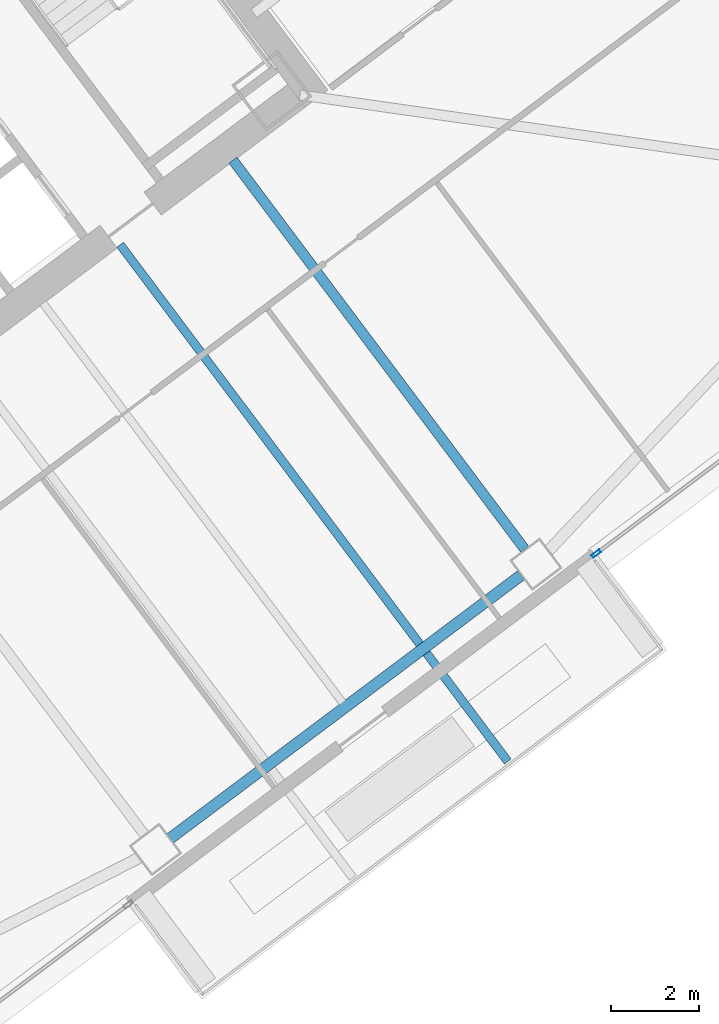
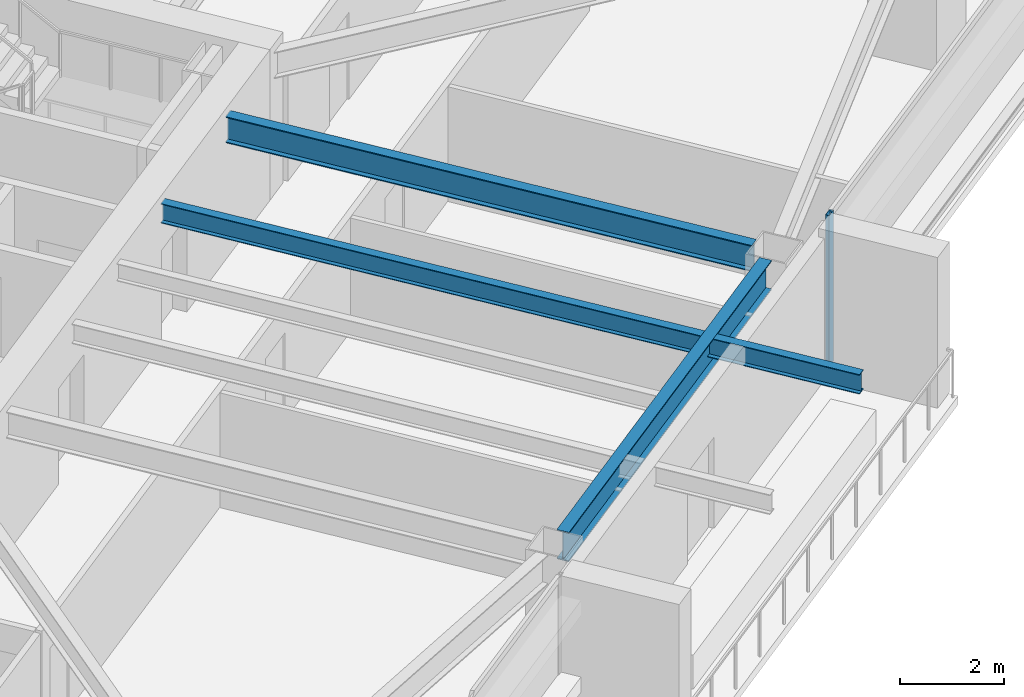
# One storey, part 24 of 46: 3 beams, 1 member, 1 element without a shape of its own.
"""IFC4 building model written with IfcOpenShell, lengths in metres."""

from ifc_helpers import new_model, si_unit, direction, frame, origin, origin_2d, place, context, subcontext, project, spatial, hollow_rectangle, i_section, extrude, material, material_profile, profile_set, type_object, element, aggregate, save


model = new_model("IFC4")

# Units and contexts
model_context = context("Model", 3, precision=1e-05, world=origin(), true_north=direction((0.0, 1.0)))
body_context = subcontext(model_context, "Body", "Model", "MODEL_VIEW")
ifc_project = project(units=[si_unit("LENGTHUNIT", "METRE"), si_unit("AREAUNIT", "SQUARE_METRE"), si_unit("VOLUMEUNIT", "CUBIC_METRE"), si_unit("PLANEANGLEUNIT", "RADIAN"), si_unit("MASSUNIT", "GRAM", prefix="KILO")], contexts=[model_context])

# Site, building, storey
site_placement = place(None, origin())
site = spatial("IfcSite", under=ifc_project, at=site_placement, CompositionType="ELEMENT")
building_placement = place(site_placement, origin())
building = spatial("IfcBuilding", under=site, at=building_placement, Name="Tashvorn Skyway Center", CompositionType="ELEMENT")
storey_placement = place(building_placement, frame((0.0, 0.0, 99.14990234375)))
storey = spatial("IfcBuildingStorey", under=building, at=storey_placement, Name="L26", CompositionType="ELEMENT", Elevation=99.14990234375)

# Beams
ifc_material_1 = material(Name="Steel ASTM A992 Grade 50", Category="steel")
ifc_material_profile_1 = material_profile(ifc_material_1, i_section(OverallWidth=0.22998046875, OverallDepth=0.616943359375, WebThickness=0.01318359375, FlangeThickness=0.022216796875, at=origin_2d()), Name="W24X94")
ifc_profile_set_1 = profile_set([ifc_material_profile_1], Name="Steel ASTM A992 Grade 50")
beam_type_1 = type_object("IfcBeamType", Name="BM-BEAM-W24X94", PredefinedType="BEAM", material=ifc_profile_set_1)
beam_1_placement = place(storey_placement, frame((129.617919921875, 20.176025390625, 3.04150390625), z_axis=(-0.599989394744, 0.800007953832, 0.0), x_axis=(-0.800007953832, -0.599989394744, 0.0)))
element("IfcBeam", 1, at=beam_1_placement, inside=storey, type_object=beam_type_1, Name="Tower 2 L26 Primary Floor Girder FC-S2", PredefinedType="BEAM", context=body_context, shape_type="SweptSolid", body=[
    extrude(i_section(OverallWidth=0.22998046875, OverallDepth=0.616943359375, WebThickness=0.01318359375, FlangeThickness=0.022216796875, at=origin_2d()), origin(), (0.0, 0.0, 1.0), 11.050048828125),
])
ifc_material_profile_2 = material_profile(ifc_material_1, i_section(OverallWidth=0.19091796875, OverallDepth=0.4599609375, WebThickness=0.010009765625, FlangeThickness=0.01611328125, at=origin_2d()), Name="W18X55")
ifc_profile_set_2 = profile_set([ifc_material_profile_2], Name="Steel ASTM A992 Grade 50")
beam_type_2 = type_object("IfcBeamType", Name="BM-JOIST-W18X55", PredefinedType="JOIST", material=ifc_profile_set_2)
beam_2_placement = place(storey_placement, frame((120.427978515625, 27.095947265625, 3.1201171875), z_axis=(0.600005325527, -0.799996005827, 0.0), x_axis=(0.799996005827, 0.600005325527, 0.0)))
element("IfcBeam", 2, at=beam_2_placement, inside=storey, type_object=beam_type_2, Name="Tower 2 L27 Terrace Cantilever Outlooker 2", PredefinedType="JOIST", context=body_context, shape_type="SweptSolid", body=[
    extrude(i_section(OverallWidth=0.19091796875, OverallDepth=0.4599609375, WebThickness=0.010009765625, FlangeThickness=0.01611328125, at=origin_2d()), origin(), (0.0, 0.0, 1.0), 14.669921875),
])
ifc_material_profile_3 = material_profile(ifc_material_1, i_section(OverallWidth=0.256103515625, OverallDepth=0.693115234375, WebThickness=0.014404296875, FlangeThickness=0.023681640625, at=origin_2d()), Name="W27X114")
ifc_profile_set_3 = profile_set([ifc_material_profile_3], Name="Steel ASTM A992 Grade 50")
beam_type_3 = type_object("IfcBeamType", Name="BM-SPANDREL-W27X114", PredefinedType="SPANDREL", material=ifc_profile_set_3)
beam_3_placement = place(storey_placement, frame((121.56591796875, 13.612060546875, 3.003662109375), z_axis=(0.800008824351, 0.599988234018, 0.0), x_axis=(-0.599988234018, 0.800008824351, 0.0)))
element("IfcBeam", 3, at=beam_3_placement, inside=storey, type_object=beam_type_3, Name="Tower 2 L26 Spandrel Beam 02", PredefinedType="SPANDREL", context=body_context, shape_type="SweptSolid", body=[
    extrude(i_section(OverallWidth=0.256103515625, OverallDepth=0.693115234375, WebThickness=0.014404296875, FlangeThickness=0.023681640625, at=origin_2d()), origin(), (0.0, 0.0, 1.0), 9.9599609375),
])

# Curtain wall, member
ifc_material_2 = material(Name="Thermally broken bronze-anodized aluminium 6063-T6", Category="aluminium")
curtain_wall_type = type_object("IfcCurtainWallType", Name="CW-CW-Z2", PredefinedType="NOTDEFINED", material=ifc_material_2)
curtain_wall_placement = place(storey_placement, origin())
curtain_wall = element("IfcCurtainWall", 4, at=curtain_wall_placement, inside=storey, type_object=curtain_wall_type, Name="Tower 2 L26 South Curtain Wall L", PredefinedType="NOTDEFINED")
ifc_material_profile_4 = material_profile(ifc_material_2, hollow_rectangle(XDim=0.080078125, YDim=0.219970703125, WallThickness=0.0048828125, at=origin_2d()), Name="ALU-MULL-80x220")
ifc_profile_set_4 = profile_set([ifc_material_profile_4], Name="Thermally broken bronze-anodized aluminium 6063-T6")
member_type = type_object("IfcMemberType", Name="CWM-CW-Z2", PredefinedType="MULLION", material=ifc_profile_set_4)
member_placement = place(storey_placement, frame((131.239990234375, 20.080078125, 0.0), z_axis=(0.0, 0.0, 1.0), x_axis=(0.600000000002, -0.799999999998, 0.0)))
member = element("IfcMember", 5, at=member_placement, type_object=member_type, Name="CW-Z2 mullion 2", PredefinedType="MULLION", context=body_context, shape_type="SweptSolid", body=[
    extrude(hollow_rectangle(XDim=0.080078125, YDim=0.219970703125, WallThickness=0.0048828125, at=origin_2d()), origin(), (0.0, 0.0, 1.0), 3.550048828125),
])
aggregate(curtain_wall, [member])

save(model, "model.ifc")
